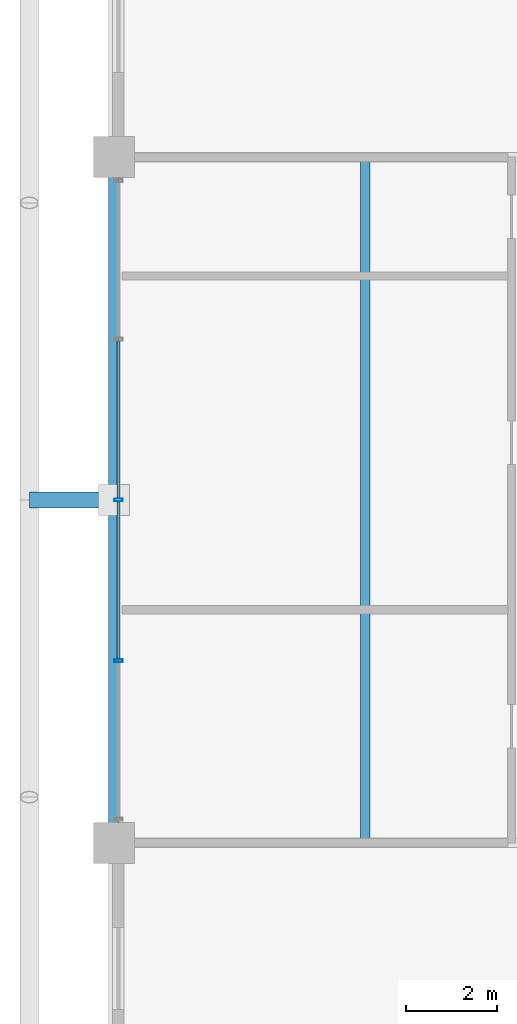
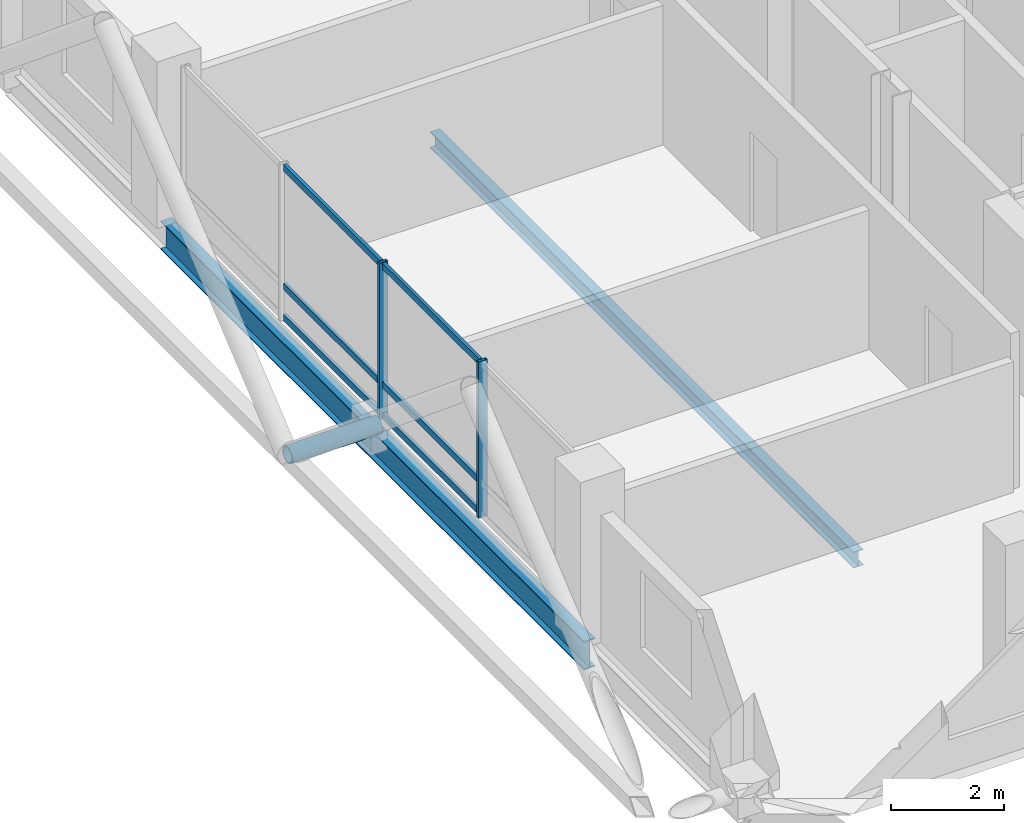
# One storey, part 8 of 24: 9 members, 2 beams, 1 element without a shape of its own.
"""IFC4 building model written with IfcOpenShell, lengths in metres."""

from ifc_helpers import new_model, si_unit, direction, frame, origin, origin_2d, place, context, subcontext, project, spatial, hollow_rectangle, hollow_circle, i_section, extrude, material, layer, layer_set, material_profile, profile_set, type_object, element, aggregate, save


model = new_model("IFC4")

# Units and contexts
model_context = context("Model", 3, precision=1e-05, world=origin(), true_north=direction((0.0, 1.0)))
body_context = subcontext(model_context, "Body", "Model", "MODEL_VIEW")
ifc_project = project(units=[si_unit("LENGTHUNIT", "METRE"), si_unit("AREAUNIT", "SQUARE_METRE"), si_unit("VOLUMEUNIT", "CUBIC_METRE"), si_unit("PLANEANGLEUNIT", "RADIAN"), si_unit("MASSUNIT", "GRAM", prefix="KILO")], contexts=[model_context])

# Site, building, storey
site_placement = place(None, origin())
site = spatial("IfcSite", under=ifc_project, at=site_placement, CompositionType="ELEMENT")
building_placement = place(site_placement, origin())
building = spatial("IfcBuilding", under=site, at=building_placement, Name="Barlavira Tower and Art Museum", CompositionType="ELEMENT")
storey_placement = place(building_placement, frame((0.0, 0.0, 240.300048828125)))
storey = spatial("IfcBuildingStorey", under=building, at=storey_placement, Name="L62", CompositionType="ELEMENT", Elevation=240.300048828125)

# Curtain wall, members
ifc_material_1 = material(Name="Low-iron coastal laminated glass", Category="glass")
ifc_layer = layer(ifc_material_1, 0.2099609375, Name="Low-iron coastal laminated glass")
ifc_layer_set = layer_set([ifc_layer], Name="Low-iron coastal laminated glass")
curtain_wall_type = type_object("IfcCurtainWallType", Name="Pale-Metal Unitised Curtain Wall Zone 4", PredefinedType="NOTDEFINED", material=ifc_layer_set)
curtain_wall_placement = place(storey_placement, origin())
curtain_wall = element("IfcCurtainWall", 1, at=curtain_wall_placement, inside=storey, type_object=curtain_wall_type, Name="L62 Curtain Wall CW4-L62-W-B3", PredefinedType="NOTDEFINED")
ifc_material_2 = material(Name="Pale anodised aluminium", Category="aluminium")
ifc_material_profile_1 = material_profile(ifc_material_2, hollow_rectangle(XDim=0.06494140625, YDim=0.179931640625, WallThickness=0.00390625, at=origin_2d()), Name="ALU-MULL 65x180x4")
ifc_profile_set_1 = profile_set([ifc_material_profile_1], Name="Pale anodised aluminium")
member_type_1 = type_object("IfcMemberType", Name="Curtain Wall Pale-Metal Mullion 65x180", PredefinedType="MULLION", material=ifc_profile_set_1)
member_1_placement = place(storey_placement, frame((-16.89990234375, 0.0, 0.0), z_axis=(0.0, 0.0, 1.0), x_axis=(0.0, -1.0, 0.0)))
member_1 = element("IfcMember", 2, at=member_1_placement, type_object=member_type_1, Name="CW4-L62-W-B3 Mullion 2", PredefinedType="MULLION", context=body_context, shape_type="SweptSolid", body=[
    extrude(hollow_rectangle(XDim=0.06494140625, YDim=0.179931640625, WallThickness=0.00390625, at=origin_2d()), origin(), (0.0, 0.0, 1.0), 3.3798828125),
])
member_2_placement = place(storey_placement, frame((-16.89990234375, -3.514892578125, 0.0), z_axis=(0.0, 0.0, 1.0), x_axis=(0.0, -1.0, 0.0)))
member_2 = element("IfcMember", 3, at=member_2_placement, type_object=member_type_1, Name="CW4-L62-W-B3 Mullion 3", PredefinedType="MULLION", context=body_context, shape_type="SweptSolid", body=[
    extrude(hollow_rectangle(XDim=0.06494140625, YDim=0.179931640625, WallThickness=0.00390625, at=origin_2d()), origin(), (0.0, 0.0, 1.0), 3.3798828125),
])
ifc_material_profile_2 = material_profile(ifc_material_2, hollow_rectangle(XDim=0.06494140625, YDim=0.139892578125, WallThickness=0.00390625, at=origin_2d()), Name="ALU-TRAN 65x140x4")
ifc_profile_set_2 = profile_set([ifc_material_profile_2], Name="Pale anodised aluminium")
member_type_2 = type_object("IfcMemberType", Name="Curtain Wall Pale-Metal Transom 65x140", PredefinedType="USERDEFINED", material=ifc_profile_set_2)
member_3_placement = place(storey_placement, frame((-16.89990234375, 3.469970703125, 0.070068359375), z_axis=(0.0, -1.0, 0.0), x_axis=(1.0, 0.0, 0.0)))
member_3 = element("IfcMember", 4, at=member_3_placement, type_object=member_type_2, Name="CW4-L62-W-B3 Transom 1.1", ObjectType="TRANSOM", PredefinedType="USERDEFINED", context=body_context, shape_type="SweptSolid", body=[
    extrude(hollow_rectangle(XDim=0.06494140625, YDim=0.139892578125, WallThickness=0.00390625, at=origin_2d()), origin(), (0.0, 0.0, 1.0), 3.425048828125),
])
member_4_placement = place(storey_placement, frame((-16.89990234375, 3.469970703125, 0.743896484375), z_axis=(0.0, -1.0, 0.0), x_axis=(1.0, 0.0, 0.0)))
member_4 = element("IfcMember", 5, at=member_4_placement, type_object=member_type_2, Name="CW4-L62-W-B3 Transom 1.2", ObjectType="TRANSOM", PredefinedType="USERDEFINED", context=body_context, shape_type="SweptSolid", body=[
    extrude(hollow_rectangle(XDim=0.06494140625, YDim=0.139892578125, WallThickness=0.00390625, at=origin_2d()), origin(), (0.0, 0.0, 1.0), 3.425048828125),
])
member_5_placement = place(storey_placement, frame((-16.89990234375, 3.469970703125, 3.31005859375), z_axis=(0.0, -1.0, 0.0), x_axis=(1.0, 0.0, 0.0)))
member_5 = element("IfcMember", 6, at=member_5_placement, type_object=member_type_2, Name="CW4-L62-W-B3 Transom 1.3", ObjectType="TRANSOM", PredefinedType="USERDEFINED", context=body_context, shape_type="SweptSolid", body=[
    extrude(hollow_rectangle(XDim=0.06494140625, YDim=0.139892578125, WallThickness=0.00390625, at=origin_2d()), origin(), (0.0, 0.0, 1.0), 3.425048828125),
])
member_6_placement = place(storey_placement, frame((-16.89990234375, -0.044921875, 0.070068359375), z_axis=(0.0, -1.0, 0.0), x_axis=(1.0, 0.0, 0.0)))
member_6 = element("IfcMember", 7, at=member_6_placement, type_object=member_type_2, Name="CW4-L62-W-B3 Transom 2.1", ObjectType="TRANSOM", PredefinedType="USERDEFINED", context=body_context, shape_type="SweptSolid", body=[
    extrude(hollow_rectangle(XDim=0.06494140625, YDim=0.139892578125, WallThickness=0.00390625, at=origin_2d()), origin(), (0.0, 0.0, 1.0), 3.425048828125),
])
member_7_placement = place(storey_placement, frame((-16.89990234375, -0.044921875, 0.743896484375), z_axis=(0.0, -1.0, 0.0), x_axis=(1.0, 0.0, 0.0)))
member_7 = element("IfcMember", 8, at=member_7_placement, type_object=member_type_2, Name="CW4-L62-W-B3 Transom 2.2", ObjectType="TRANSOM", PredefinedType="USERDEFINED", context=body_context, shape_type="SweptSolid", body=[
    extrude(hollow_rectangle(XDim=0.06494140625, YDim=0.139892578125, WallThickness=0.00390625, at=origin_2d()), origin(), (0.0, 0.0, 1.0), 3.425048828125),
])
member_8_placement = place(storey_placement, frame((-16.89990234375, -0.044921875, 3.31005859375), z_axis=(0.0, -1.0, 0.0), x_axis=(1.0, 0.0, 0.0)))
member_8 = element("IfcMember", 9, at=member_8_placement, type_object=member_type_2, Name="CW4-L62-W-B3 Transom 2.3", ObjectType="TRANSOM", PredefinedType="USERDEFINED", context=body_context, shape_type="SweptSolid", body=[
    extrude(hollow_rectangle(XDim=0.06494140625, YDim=0.139892578125, WallThickness=0.00390625, at=origin_2d()), origin(), (0.0, 0.0, 1.0), 3.425048828125),
])
aggregate(curtain_wall, [member_1, member_2, member_3, member_4, member_5, member_6, member_7, member_8])

# Member
ifc_material_3 = material(Name="Steel S355", Category="steel")
ifc_material_profile_3 = material_profile(ifc_material_3, hollow_circle(Radius=0.177734375, WallThickness=0.01611328125, at=origin_2d()), Name="CHS 355.6x16.0")
ifc_profile_set_3 = profile_set([ifc_material_profile_3], Name="Steel S355")
member_type_3 = type_object("IfcMemberType", Name="Pale-Metal Exoskeleton Tie Strut CHS 356x16 Steel S355", PredefinedType="STRUT", material=ifc_profile_set_3)
member_9_placement = place(storey_placement, frame((-18.85009765625, 0.0, -0.1201171875), z_axis=(1.0, 0.0, 0.0), x_axis=(0.0, 1.0, 0.0)))
element("IfcMember", 10, at=member_9_placement, inside=storey, type_object=member_type_3, Name="L62 Exoskeleton Tie Strut W2", PredefinedType="STRUT", context=body_context, shape_type="SweptSolid", body=[
    extrude(hollow_circle(Radius=0.177734375, WallThickness=0.01611328125, at=origin_2d()), origin(), (0.0, 0.0, 1.0), 1.85009765625),
])

# Beams
ifc_material_profile_4 = material_profile(ifc_material_3, i_section(OverallWidth=0.22998046875, OverallDepth=0.616943359375, WebThickness=0.01318359375, FlangeThickness=0.022216796875, at=origin_2d()), Name="W610x140.0")
ifc_profile_set_4 = profile_set([ifc_material_profile_4], Name="Steel S355")
beam_type_1 = type_object("IfcBeamType", Name="Upper Shaft Spandrel Edge Beam W610x140 Steel S355", PredefinedType="SPANDREL", material=ifc_profile_set_4)
beam_1_placement = place(storey_placement, frame((-17.0, -7.5, -0.528564453125), z_axis=(0.0, 1.0, 0.0), x_axis=(-1.0, 0.0, 0.0)))
element("IfcBeam", 11, at=beam_1_placement, inside=storey, type_object=beam_type_1, Name="L62 Spandrel 14", PredefinedType="SPANDREL", context=body_context, shape_type="SweptSolid", body=[
    extrude(i_section(OverallWidth=0.22998046875, OverallDepth=0.616943359375, WebThickness=0.01318359375, FlangeThickness=0.022216796875, at=origin_2d()), origin(), (0.0, 0.0, 1.0), 15.0),
])
ifc_material_profile_5 = material_profile(ifc_material_3, i_section(OverallWidth=0.202880859375, OverallDepth=0.346923828125, WebThickness=0.0078125, FlangeThickness=0.013427734375, at=origin_2d()), Name="W360x64.0")
ifc_profile_set_5 = profile_set([ifc_material_profile_5], Name="Steel S355")
beam_type_2 = type_object("IfcBeamType", Name="Zone 4 Composite Floor Joist W360x64 Steel S355", PredefinedType="JOIST", material=ifc_profile_set_5)
beam_2_placement = place(storey_placement, frame((-11.5, -7.5, -0.3935546875), z_axis=(0.0, 1.0, 0.0), x_axis=(-1.0, 0.0, 0.0)))
element("IfcBeam", 12, at=beam_2_placement, inside=storey, type_object=beam_type_2, Name="L62 Joist W1", PredefinedType="JOIST", context=body_context, shape_type="SweptSolid", body=[
    extrude(i_section(OverallWidth=0.202880859375, OverallDepth=0.346923828125, WebThickness=0.0078125, FlangeThickness=0.013427734375, at=origin_2d()), origin(), (0.0, 0.0, 1.0), 15.0),
])

save(model, "model.ifc")
